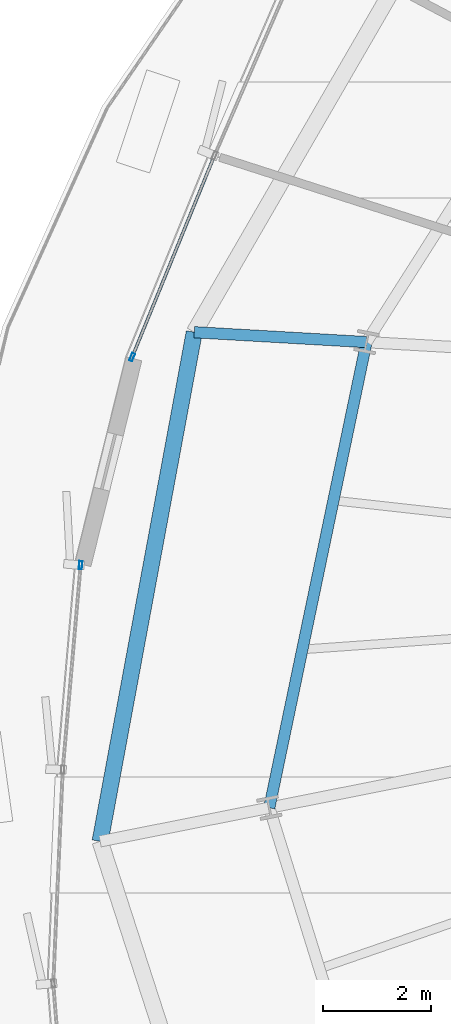
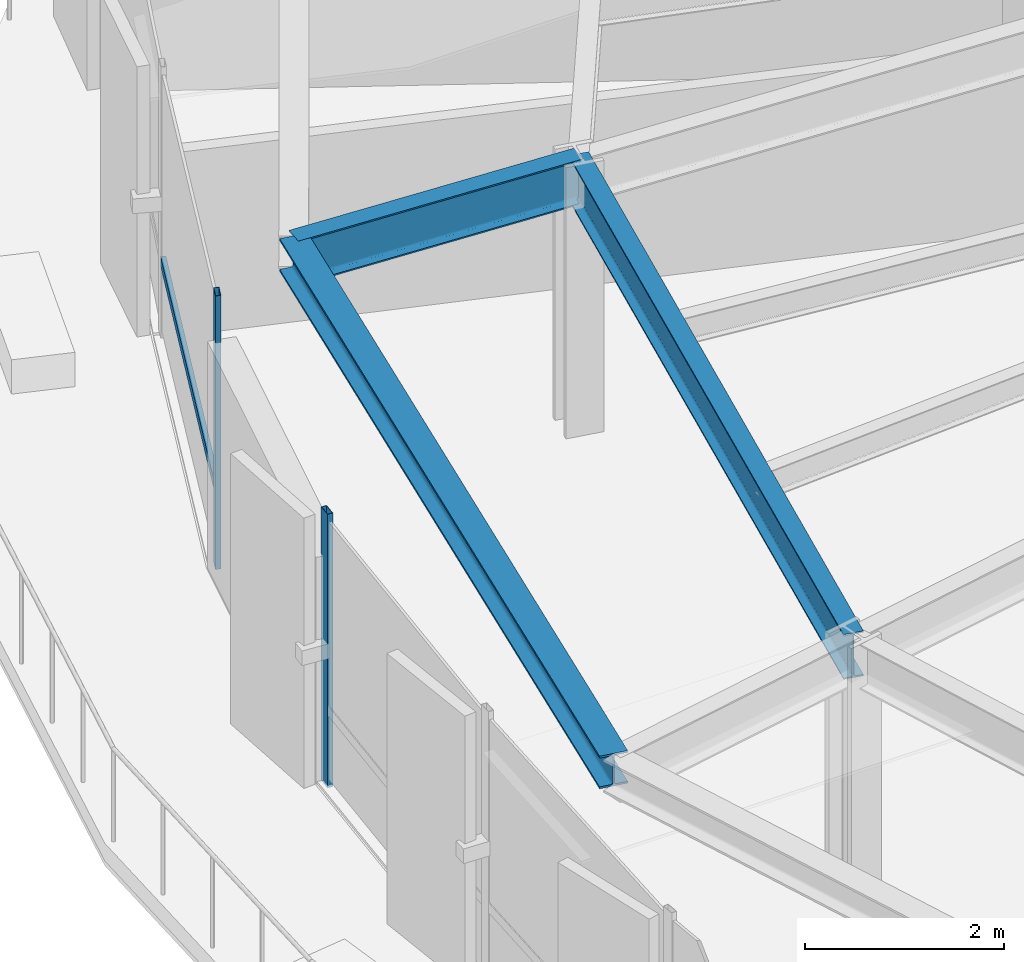
# One storey, part 9 of 35: 3 beams, 3 members, 2 elements without a shape of their own.
"""IFC4 building model written with IfcOpenShell, lengths in metres."""

from ifc_helpers import new_model, si_unit, direction, frame, origin, origin_2d, place, context, subcontext, project, spatial, hollow_rectangle, i_section, extrude, source, transform, mapped, material, layer, layer_set, material_profile, profile_set, type_object, element, aggregate, save


model = new_model("IFC4")

# Units and contexts
model_context = context("Model", 3, precision=1e-05, world=origin(), true_north=direction((0.0, 1.0)))
body_context = subcontext(model_context, "Body", "Model", "MODEL_VIEW")
ifc_project = project(units=[si_unit("LENGTHUNIT", "METRE"), si_unit("AREAUNIT", "SQUARE_METRE"), si_unit("VOLUMEUNIT", "CUBIC_METRE"), si_unit("PLANEANGLEUNIT", "RADIAN"), si_unit("MASSUNIT", "GRAM", prefix="KILO"), si_unit("THERMODYNAMICTEMPERATUREUNIT", "KELVIN")], contexts=[model_context])

# Site, building, storey
site_placement = place(None, origin())
site = spatial("IfcSite", under=ifc_project, at=site_placement, CompositionType="ELEMENT")
building_placement = place(site_placement, origin())
building = spatial("IfcBuilding", under=site, at=building_placement, Name="Kethvar Cultural Tower", CompositionType="ELEMENT")
storey_placement = place(building_placement, frame((0.0, 0.0, 100.0)))
storey = spatial("IfcBuildingStorey", under=building, at=storey_placement, Name="L24", CompositionType="ELEMENT", Elevation=100.0)

# Beams
ifc_material_1 = material(Name="Steel S355J2", Category="steel")
ifc_material_profile_1 = material_profile(ifc_material_1, i_section(OverallWidth=0.2099609375, OverallDepth=0.550048828125, WebThickness=0.010986328125, FlangeThickness=0.01708984375, FilletRadius=0.02392578125, at=origin_2d()), Name="Steel S355J2 — IPE550")
ifc_profile_set_1 = profile_set([ifc_material_profile_1], Name="Steel S355J2 — IPE550")
beam_type_1 = type_object("IfcBeamType", Name="BM-IPE550", PredefinedType="BEAM", material=ifc_profile_set_1)
shared_shape_1 = source(origin(), body_context, "Body", "SweptSolid", [
    extrude(i_section(OverallWidth=0.2099609375, OverallDepth=0.550048828125, WebThickness=0.010986328125, FlangeThickness=0.01708984375, FilletRadius=0.02392578125, at=origin_2d()), origin(), (0.0, 0.0, 1.0), 3.2001953125),
])
beam_1_placement = place(storey_placement, frame((25.988525390625, 31.939697265625, 3.072998046875), z_axis=(-0.998357274949, 0.057295301352, 0.0), x_axis=(-0.057295301352, -0.998357274949, 0.0)))
element("IfcBeam", 1, at=beam_1_placement, inside=storey, type_object=beam_type_1, Name="L24 Perimeter Cantilever Beam RC-08", PredefinedType="BEAM", context=body_context, shape_type="MappedRepresentation", body=[
    mapped(shared_shape_1, transform((0.0, 0.0, 0.0), scale=1.0)),
])
shared_shape_2 = source(origin(), body_context, "Body", "SweptSolid", [
    extrude(i_section(OverallWidth=0.2099609375, OverallDepth=0.550048828125, WebThickness=0.010986328125, FlangeThickness=0.01708984375, FilletRadius=0.02392578125, at=origin_2d()), origin(), (0.0, 0.0, 1.0), 8.82421875),
])
beam_2_placement = place(storey_placement, frame((25.988525390625, 31.939697265625, 3.072998046875), z_axis=(-0.204350879122, -0.978897705688, 0.0), x_axis=(0.978897705688, -0.204350879122, 0.0)))
element("IfcBeam", 2, at=beam_2_placement, inside=storey, type_object=beam_type_1, Name="L24 Column Ring Tie Beam CR-08", PredefinedType="BEAM", context=body_context, shape_type="MappedRepresentation", body=[
    mapped(shared_shape_2, transform((0.0, 0.0, 0.0), scale=1.0)),
])
ifc_material_profile_2 = material_profile(ifc_material_1, i_section(OverallWidth=0.300048828125, OverallDepth=0.39990234375, WebThickness=0.013427734375, FlangeThickness=0.02392578125, FilletRadius=0.027099609375, at=origin_2d()), Name="Steel S355J2 — HEB400")
ifc_profile_set_2 = profile_set([ifc_material_profile_2], Name="Steel S355J2 — HEB400")
beam_type_2 = type_object("IfcBeamType", Name="BM-SP400", PredefinedType="SPANDREL", material=ifc_profile_set_2)
shared_shape_3 = source(origin(), body_context, "Body", "SweptSolid", [
    extrude(i_section(OverallWidth=0.300048828125, OverallDepth=0.39990234375, WebThickness=0.013427734375, FlangeThickness=0.02392578125, FilletRadius=0.027099609375, at=origin_2d()), origin(), (0.0, 0.0, 1.0), 9.605712890625),
])
beam_3_placement = place(storey_placement, frame((22.793701171875, 32.123046875, 3.14794921875), z_axis=(-0.1818526217, -0.983325797476, 0.0), x_axis=(0.983325797476, -0.1818526217, 0.0)))
element("IfcBeam", 3, at=beam_3_placement, inside=storey, type_object=beam_type_2, Name="L24 Perimeter Spandrel Beam SP-08", PredefinedType="SPANDREL", context=body_context, shape_type="MappedRepresentation", body=[
    mapped(shared_shape_3, transform((0.0, 0.0, 0.0), scale=1.0)),
])

# Curtain wall, member
ifc_material_2 = material(Name="Aluminium 6063-T6", Category="aluminium")
ifc_layer = layer(ifc_material_2, 0.179931640625, Name="Aluminium 6063-T6", Category="aluminium")
ifc_layer_set = layer_set([ifc_layer], Name="Aluminium 6063-T6 (180 mm)")
curtain_wall_type = type_object("IfcCurtainWallType", Name="CW-SYS-03-Z2", PredefinedType="NOTDEFINED", material=ifc_layer_set)
curtain_wall_1_placement = place(storey_placement, origin())
curtain_wall_1 = element("IfcCurtainWall", 4, at=curtain_wall_1_placement, inside=storey, type_object=curtain_wall_type, Name="L24 Curtain Wall Run 03", PredefinedType="NOTDEFINED")
ifc_material_profile_3 = material_profile(ifc_material_2, hollow_rectangle(XDim=0.06005859375, YDim=0.14990234375, WallThickness=0.0048828125, at=origin_2d()), Name="Aluminium 6063-T6 — RHS150x60x5")
ifc_profile_set_3 = profile_set([ifc_material_profile_3], Name="Aluminium 6063-T6 — RHS150x60x5")
member_type_1 = type_object("IfcMemberType", Name="CW-SYS-03-Z2-MUL", PredefinedType="MULLION", material=ifc_profile_set_3)
shared_shape_4 = source(origin(), body_context, "Body", "SweptSolid", [
    extrude(hollow_rectangle(XDim=0.06005859375, YDim=0.14990234375, WallThickness=0.0048828125, at=origin_2d()), origin(), (0.0, 0.0, 1.0), 3.35009765625),
])
member_1_placement = place(storey_placement, frame((21.641357421875, 31.66064453125, 0.0), z_axis=(0.0, 0.0, 1.0), x_axis=(0.925784831624, -0.378050850463, 0.0)))
member_1 = element("IfcMember", 5, at=member_1_placement, type_object=member_type_1, Name="CW-L24-R03 Mullion 4", PredefinedType="MULLION", context=body_context, shape_type="MappedRepresentation", body=[
    mapped(shared_shape_4, transform((0.0, 0.0, 0.0), scale=1.0)),
])

curtain_wall_2_placement = place(storey_placement, origin())
curtain_wall_2 = element("IfcCurtainWall", 6, at=curtain_wall_2_placement, inside=storey, type_object=curtain_wall_type, Name="L24 Curtain Wall Run 04", PredefinedType="NOTDEFINED")
member_2_placement = place(storey_placement, frame((20.685791015625, 27.8017578125, 0.0), z_axis=(0.0, 0.0, 1.0), x_axis=(0.996196219095, -0.087138355857, 0.0)))
member_2 = element("IfcMember", 7, at=member_2_placement, type_object=member_type_1, Name="CW-L24-R04 Mullion 1", PredefinedType="MULLION", context=body_context, shape_type="MappedRepresentation", body=[
    mapped(shared_shape_4, transform((0.0, 0.0, 0.0), scale=1.0)),
])
aggregate(curtain_wall_2, [member_2])

# Member
ifc_material_profile_4 = material_profile(ifc_material_2, hollow_rectangle(XDim=0.054931640625, YDim=0.1201171875, WallThickness=0.00390625, at=origin_2d()), Name="Aluminium 6063-T6 — RHS120x55x4")
ifc_profile_set_4 = profile_set([ifc_material_profile_4], Name="Aluminium 6063-T6 — RHS120x55x4")
member_type_2 = type_object("IfcMemberType", Name="CW-SYS-03-Z2-TRN", PredefinedType="USERDEFINED", material=ifc_profile_set_4)
shared_shape_5 = source(origin(), body_context, "Body", "SweptSolid", [
    extrude(hollow_rectangle(XDim=0.054931640625, YDim=0.1201171875, WallThickness=0.00390625, at=origin_2d()), origin(), (0.0, 0.0, 1.0), 3.991943359375),
])
member_3_placement = place(storey_placement, frame((23.152099609375, 35.3603515625, 0.949951171875), z_axis=(-0.378013610435, -0.925800037981, 0.0), x_axis=(0.925800037981, -0.378013610435, 0.0)))
member_3 = element("IfcMember", 8, at=member_3_placement, type_object=member_type_2, Name="CW-L24-R03 Transom 3", ObjectType="TRANSOM", PredefinedType="USERDEFINED", context=body_context, shape_type="MappedRepresentation", body=[
    mapped(shared_shape_5, transform((0.0, 0.0, 0.0), scale=1.0)),
])

aggregate(curtain_wall_1, [member_1, member_3])

save(model, "model.ifc")
